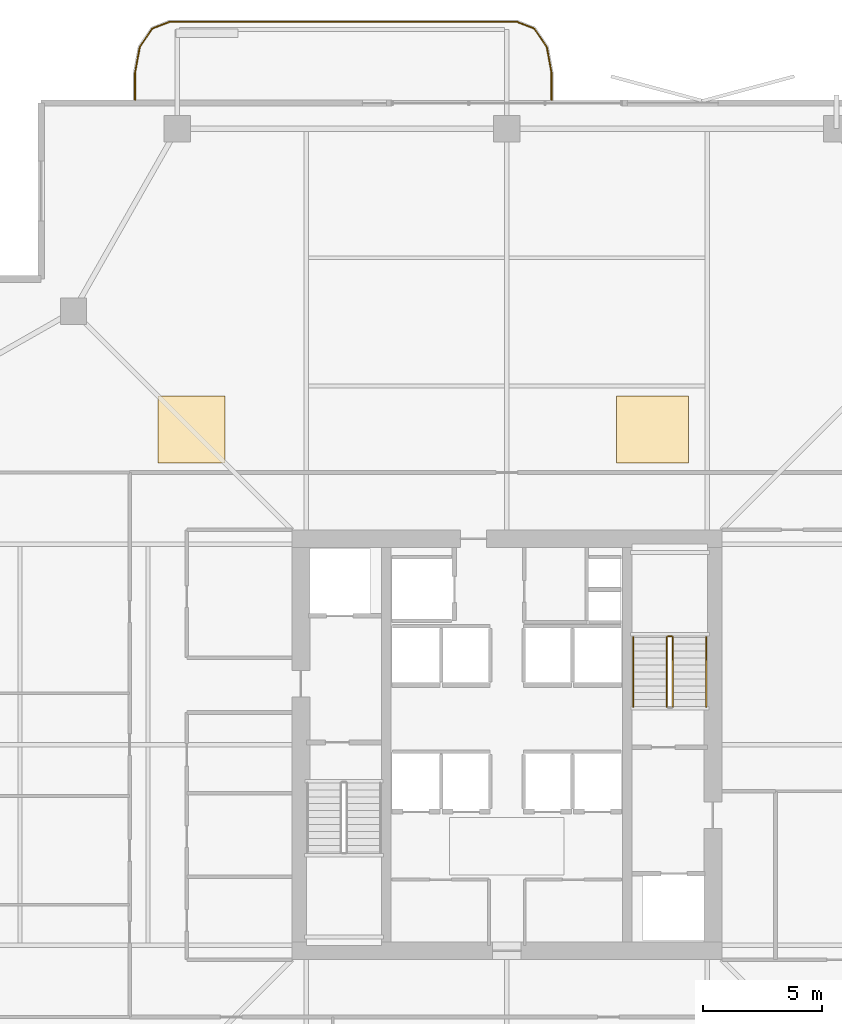
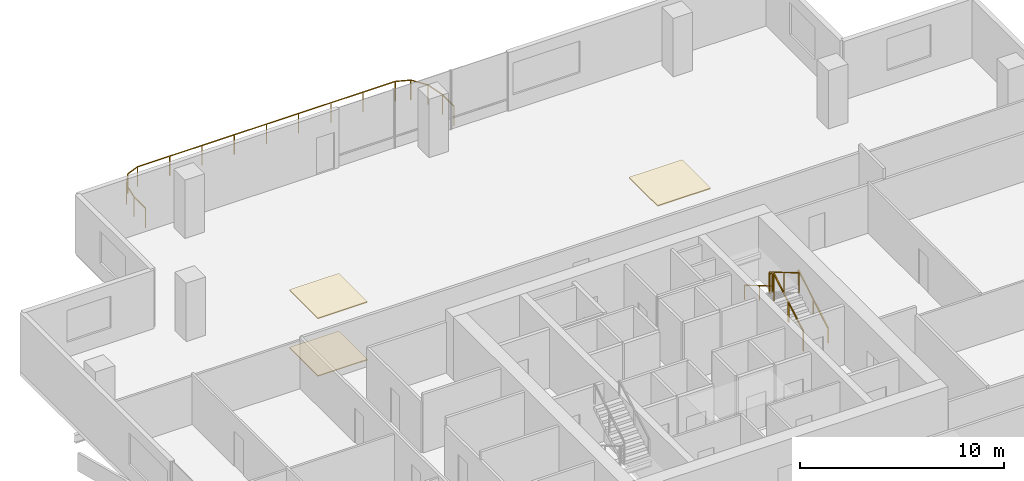
# One storey, part 23 of 24: 6 railings, 3 coverings.
"""IFC4 building model written with IfcOpenShell, lengths in metres."""

from ifc_helpers import new_model, si_unit, direction, frame, origin, origin_2d, place, context, subcontext, project, spatial, polyline, rectangle, outline, extrude, material, layer, layer_set, type_object, element, save


model = new_model("IFC4")

# Units and contexts
model_context = context("Model", 3, precision=1e-05, world=origin(), true_north=direction((0.0, 1.0)))
body_context = subcontext(model_context, "Body", "Model", "MODEL_VIEW")
ifc_project = project(units=[si_unit("LENGTHUNIT", "METRE"), si_unit("AREAUNIT", "SQUARE_METRE"), si_unit("VOLUMEUNIT", "CUBIC_METRE"), si_unit("PLANEANGLEUNIT", "RADIAN"), si_unit("MASSUNIT", "GRAM", prefix="KILO")], contexts=[model_context])

# Site, building, storey
site_placement = place(None, origin())
site = spatial("IfcSite", under=ifc_project, at=site_placement, CompositionType="ELEMENT")
building_placement = place(site_placement, origin())
building = spatial("IfcBuilding", under=site, at=building_placement, Name="Belovzor Exchange Tower", CompositionType="ELEMENT")
storey_placement = place(building_placement, frame((0.0, 0.0, 214.949951171875)))
storey = spatial("IfcBuildingStorey", under=building, at=storey_placement, Name="L53", CompositionType="ELEMENT", Elevation=214.949951171875)

# Railings
ifc_material_1 = material(Name="Stainless Steel Grade 304", Category="steel")
railing_type_1 = type_object("IfcRailingType", Name="Brushed Stainless Steel Stair Handrail 900", PredefinedType="HANDRAIL", material=ifc_material_1)
railing_1_placement = place(storey_placement, frame((37.14990234375, 30.39990234375, 0.17041015625)))
element("IfcRailing", 1, at=railing_1_placement, inside=storey, type_object=railing_type_1, Name="L53 ST-2 stair handrail 1", PredefinedType="HANDRAIL", context=body_context, shape_type="SweptSolid", body=[
    extrude(rectangle(XDim=0.048095703125, YDim=0.048095703125, at=origin_2d()), frame((0.0, 0.0, 0.8759765625), z_axis=(0.0, 0.862113265706, 0.506715617574), x_axis=(-1.0, 0.0, 0.0)), (0.0, 0.0, 1.0), 3.364013671875),
    extrude(rectangle(XDim=0.0419921875, YDim=0.0419921875, at=origin_2d()), origin(), (0.0, 0.0, 1.0), 0.851806640625),
    extrude(rectangle(XDim=0.0419921875, YDim=0.0419921875, at=origin_2d()), frame((0.0, 1.4501953125, 0.852294921875)), (0.0, 0.0, 1.0), 0.851806640625),
    extrude(rectangle(XDim=0.0419921875, YDim=0.0419921875, at=origin_2d()), frame((0.0, 2.900146484375, 1.70458984375)), (0.0, 0.0, 1.0), 0.851806640625),
])
railing_2_placement = place(storey_placement, frame((34.10009765625, 33.300048828125, 2.04541015625)))
element("IfcRailing", 2, at=railing_2_placement, inside=storey, type_object=railing_type_1, Name="L53 ST-2 stair handrail 2", PredefinedType="HANDRAIL", context=body_context, shape_type="SweptSolid", body=[
    extrude(rectangle(XDim=0.048095703125, YDim=0.048095703125, at=origin_2d()), frame((0.0, 0.0, 0.8759765625), z_axis=(0.0, -0.862113265706, 0.506715617574), x_axis=(1.0, 0.0, 0.0)), (0.0, 0.0, 1.0), 3.364013671875),
    extrude(rectangle(XDim=0.0419921875, YDim=0.0419921875, at=origin_2d()), origin(), (0.0, 0.0, 1.0), 0.851806640625),
    extrude(rectangle(XDim=0.0419921875, YDim=0.0419921875, at=origin_2d()), frame((0.0, -1.4501953125, 0.852294921875)), (0.0, 0.0, 1.0), 0.851806640625),
    extrude(rectangle(XDim=0.0419921875, YDim=0.0419921875, at=origin_2d()), frame((0.0, -2.900146484375, 1.70458984375)), (0.0, 0.0, 1.0), 0.851806640625),
])
ifc_material_2 = material(Name="Stainless Steel and Laminated Safety Glass", Category="steel")
railing_type_2 = type_object("IfcRailingType", Name="Laminated Glass & Stainless Steel Balcony Balustrade 1200", PredefinedType="BALUSTRADE", material=ifc_material_2)
railing_3_placement = place(storey_placement, frame((30.669921875, 55.81005859375, 0.0)))
element("IfcRailing", 3, at=railing_3_placement, inside=storey, type_object=railing_type_2, Name="GR-1 Balcony Balustrade L53 North", PredefinedType="BALUSTRADE", context=body_context, shape_type="SweptSolid", body=[
    extrude(rectangle(XDim=0.048095703125, YDim=0.048095703125, at=origin_2d()), frame((0.0, 0.0, 1.17578125), z_axis=(0.0, 1.0, 0.0), x_axis=(-1.0, 0.0, 0.0)), (0.0, 0.0, 1.0), 1.133056640625),
    extrude(rectangle(XDim=0.048095703125, YDim=0.048095703125, at=origin_2d()), frame((0.0, 1.133056640625, 1.17578125), z_axis=(-0.180122719713, 0.983644145941, 0.0), x_axis=(-0.983644145941, -0.180122719713, 0.0)), (0.0, 0.0, 1.0), 1.09375),
    extrude(rectangle(XDim=0.048095703125, YDim=0.048095703125, at=origin_2d()), frame((-0.197021484375, 2.208984375, 1.17578125), z_axis=(-0.562768145367, 0.826614792125, 0.0), x_axis=(-0.826614792125, -0.562768145367, 0.0)), (0.0, 0.0, 1.0), 0.9326171875),
    extrude(rectangle(XDim=0.048095703125, YDim=0.048095703125, at=origin_2d()), frame((-0.721923828125, 2.97998046875, 1.17578125), z_axis=(-0.930766990125, 0.365612923861, 0.0), x_axis=(-0.365612923861, -0.930766990125, 0.0)), (0.0, 0.0, 1.0), 0.765869140625),
    extrude(rectangle(XDim=0.048095703125, YDim=0.048095703125, at=origin_2d()), frame((-1.434814453125, 3.260009765625, 1.17578125), z_axis=(-1.0, 0.0, 0.0), x_axis=(0.0, -1.0, 0.0)), (0.0, 0.0, 1.0), 14.570068359375),
    extrude(rectangle(XDim=0.048095703125, YDim=0.048095703125, at=origin_2d()), frame((-16.0048828125, 3.260009765625, 1.17578125), z_axis=(-0.930809580156, -0.365504480807, 0.0), x_axis=(0.365504480807, -0.930809580156, 0.0)), (0.0, 0.0, 1.0), 0.76611328125),
    extrude(rectangle(XDim=0.048095703125, YDim=0.048095703125, at=origin_2d()), frame((-16.718017578125, 2.97998046875, 1.17578125), z_axis=(-0.562768145367, -0.826614792125, 0.0), x_axis=(0.826614792125, -0.562768145367, 0.0)), (0.0, 0.0, 1.0), 0.9326171875),
    extrude(rectangle(XDim=0.048095703125, YDim=0.048095703125, at=origin_2d()), frame((-17.242919921875, 2.208984375, 1.17578125), z_axis=(-0.180122719713, -0.983644145941, 0.0), x_axis=(0.983644145941, -0.180122719713, 0.0)), (0.0, 0.0, 1.0), 1.09375),
    extrude(rectangle(XDim=0.048095703125, YDim=0.048095703125, at=origin_2d()), frame((-17.43994140625, 1.133056640625, 1.17578125), z_axis=(0.0, -1.0, 0.0), x_axis=(1.0, 0.0, 0.0)), (0.0, 0.0, 1.0), 1.133056640625),
    extrude(rectangle(XDim=0.0419921875, YDim=0.0419921875, at=origin_2d()), origin(), (0.0, 0.0, 1.0), 1.15185546875),
    extrude(rectangle(XDim=0.0419921875, YDim=0.0419921875, at=origin_2d()), frame((0.0, 1.133056640625, 0.0)), (0.0, 0.0, 1.0), 1.15185546875),
    extrude(rectangle(XDim=0.0419921875, YDim=0.0419921875, at=origin_2d()), frame((-0.197021484375, 2.208984375, 0.0)), (0.0, 0.0, 1.0), 1.15185546875),
    extrude(rectangle(XDim=0.0419921875, YDim=0.0419921875, at=origin_2d()), frame((-0.721923828125, 2.97998046875, 0.0)), (0.0, 0.0, 1.0), 1.15185546875),
    extrude(rectangle(XDim=0.0419921875, YDim=0.0419921875, at=origin_2d()), frame((-1.434814453125, 3.260009765625, 0.0)), (0.0, 0.0, 1.0), 1.15185546875),
    extrude(rectangle(XDim=0.0419921875, YDim=0.0419921875, at=origin_2d()), frame((-3.256103515625, 3.260009765625, 0.0)), (0.0, 0.0, 1.0), 1.15185546875),
    extrude(rectangle(XDim=0.0419921875, YDim=0.0419921875, at=origin_2d()), frame((-5.077392578125, 3.260009765625, 0.0)), (0.0, 0.0, 1.0), 1.15185546875),
    extrude(rectangle(XDim=0.0419921875, YDim=0.0419921875, at=origin_2d()), frame((-6.898681640625, 3.260009765625, 0.0)), (0.0, 0.0, 1.0), 1.15185546875),
    extrude(rectangle(XDim=0.0419921875, YDim=0.0419921875, at=origin_2d()), frame((-8.7197265625, 3.260009765625, 0.0)), (0.0, 0.0, 1.0), 1.15185546875),
    extrude(rectangle(XDim=0.0419921875, YDim=0.0419921875, at=origin_2d()), frame((-10.541015625, 3.260009765625, 0.0)), (0.0, 0.0, 1.0), 1.15185546875),
    extrude(rectangle(XDim=0.0419921875, YDim=0.0419921875, at=origin_2d()), frame((-12.3623046875, 3.260009765625, 0.0)), (0.0, 0.0, 1.0), 1.15185546875),
    extrude(rectangle(XDim=0.0419921875, YDim=0.0419921875, at=origin_2d()), frame((-14.18359375, 3.260009765625, 0.0)), (0.0, 0.0, 1.0), 1.15185546875),
    extrude(rectangle(XDim=0.0419921875, YDim=0.0419921875, at=origin_2d()), frame((-16.0048828125, 3.260009765625, 0.0)), (0.0, 0.0, 1.0), 1.15185546875),
    extrude(rectangle(XDim=0.0419921875, YDim=0.0419921875, at=origin_2d()), frame((-16.718017578125, 2.97998046875, 0.0)), (0.0, 0.0, 1.0), 1.15185546875),
    extrude(rectangle(XDim=0.0419921875, YDim=0.0419921875, at=origin_2d()), frame((-17.242919921875, 2.208984375, 0.0)), (0.0, 0.0, 1.0), 1.15185546875),
    extrude(rectangle(XDim=0.0419921875, YDim=0.0419921875, at=origin_2d()), frame((-17.43994140625, 1.133056640625, 0.0)), (0.0, 0.0, 1.0), 1.15185546875),
    extrude(rectangle(XDim=0.0419921875, YDim=0.0419921875, at=origin_2d()), frame((-17.43994140625, 0.0, 0.0)), (0.0, 0.0, 1.0), 1.15185546875),
])
ifc_material_3 = material(Name="Steel S355", Category="steel")
railing_type_3 = type_object("IfcRailingType", Name="Painted Steel Stairwell Guardrail 1200", PredefinedType="GUARDRAIL", material=ifc_material_3)
railing_4_placement = place(storey_placement, frame((35.75, 30.39990234375, 0.17041015625)))
element("IfcRailing", 4, at=railing_4_placement, inside=storey, type_object=railing_type_3, Name="L53 ST-2 stair guard 1", PredefinedType="GUARDRAIL", context=body_context, shape_type="SweptSolid", body=[
    extrude(rectangle(XDim=0.048095703125, YDim=0.048095703125, at=origin_2d()), frame((0.0, 0.0, 1.17578125), z_axis=(0.0, 0.862113265706, 0.506715617574), x_axis=(-1.0, 0.0, 0.0)), (0.0, 0.0, 1.0), 3.364013671875),
    extrude(rectangle(XDim=0.0419921875, YDim=0.0419921875, at=origin_2d()), origin(), (0.0, 0.0, 1.0), 1.15185546875),
    extrude(rectangle(XDim=0.0419921875, YDim=0.0419921875, at=origin_2d()), frame((0.0, 1.4501953125, 0.852294921875)), (0.0, 0.0, 1.0), 1.15185546875),
    extrude(rectangle(XDim=0.0419921875, YDim=0.0419921875, at=origin_2d()), frame((0.0, 2.900146484375, 1.70458984375)), (0.0, 0.0, 1.0), 1.15185546875),
])
railing_5_placement = place(storey_placement, frame((35.699951171875, 33.35009765625, 1.875)))
element("IfcRailing", 5, at=railing_5_placement, inside=storey, type_object=railing_type_3, Name="L53 ST-2 stair guard 2", PredefinedType="GUARDRAIL", context=body_context, shape_type="SweptSolid", body=[
    extrude(rectangle(XDim=0.048095703125, YDim=0.048095703125, at=origin_2d()), frame((0.0, 0.0, 1.17578125), z_axis=(-1.0, 0.0, 0.0), x_axis=(0.0, -1.0, 0.0)), (0.0, 0.0, 1.0), 0.14990234375),
    extrude(rectangle(XDim=0.0419921875, YDim=0.0419921875, at=origin_2d()), origin(), (0.0, 0.0, 1.0), 1.15185546875),
    extrude(rectangle(XDim=0.0419921875, YDim=0.0419921875, at=origin_2d()), frame((-0.14990234375, 0.0, 0.0)), (0.0, 0.0, 1.0), 1.15185546875),
])
railing_6_placement = place(storey_placement, frame((35.5, 33.300048828125, 2.04541015625)))
element("IfcRailing", 6, at=railing_6_placement, inside=storey, type_object=railing_type_3, Name="L53 ST-2 stair guard 3", PredefinedType="GUARDRAIL", context=body_context, shape_type="SweptSolid", body=[
    extrude(rectangle(XDim=0.048095703125, YDim=0.048095703125, at=origin_2d()), frame((0.0, 0.0, 1.17578125), z_axis=(0.0, -0.862113265706, 0.506715617574), x_axis=(1.0, 0.0, 0.0)), (0.0, 0.0, 1.0), 3.364013671875),
    extrude(rectangle(XDim=0.0419921875, YDim=0.0419921875, at=origin_2d()), origin(), (0.0, 0.0, 1.0), 1.15185546875),
    extrude(rectangle(XDim=0.0419921875, YDim=0.0419921875, at=origin_2d()), frame((0.0, -1.4501953125, 0.852294921875)), (0.0, 0.0, 1.0), 1.15185546875),
    extrude(rectangle(XDim=0.0419921875, YDim=0.0419921875, at=origin_2d()), frame((0.0, -2.900146484375, 1.70458984375)), (0.0, 0.0, 1.0), 1.15185546875),
])

# Coverings
ifc_material_4 = material(Name="Perforated Powder-Coated Aluminium", Category="aluminium")
ifc_layer_1 = layer(ifc_material_4, 0.06005859375)
ifc_layer_set_1 = layer_set([ifc_layer_1], Name="Perforated Powder-Coated Aluminium")
covering_type_1 = type_object("IfcCoveringType", Name="Perforated Acoustic Metal Tile Suspended Ceiling 60", PredefinedType="CEILING", material=ifc_layer_set_1)
covering_1_placement = place(storey_placement, frame((0.0, 0.0, 3.43994140625)))
element("IfcCovering", 7, at=covering_1_placement, inside=storey, type_object=covering_type_1, Name="CLG-AC60 Suspended Ceiling CLG-L53-Z2", PredefinedType="CEILING", context=body_context, shape_type="SweptSolid", body=[
    extrude(outline(polyline([(33.39990234375, 40.60009765625), (36.39990234375, 40.60009765625), (36.39990234375, 43.39990234375), (33.39990234375, 43.39990234375), (33.39990234375, 40.60009765625)])), origin(), (0.0, 0.0, 1.0), 0.06005859375),
])
covering_2_placement = place(storey_placement, frame((0.0, 0.0, 3.43994140625)))
element("IfcCovering", 8, at=covering_2_placement, inside=storey, type_object=covering_type_1, Name="CLG-AC60 Suspended Ceiling CLG-L53-Z3", PredefinedType="CEILING", context=body_context, shape_type="SweptSolid", body=[
    extrude(outline(polyline([(14.199951171875, 40.60009765625), (17.0, 40.60009765625), (17.0, 43.39990234375), (14.199951171875, 43.39990234375), (14.199951171875, 40.60009765625)])), origin(), (0.0, 0.0, 1.0), 0.06005859375),
])
ifc_material_5 = material(Name="Polished Natural Granite Tile", Category="masonry")
ifc_layer_2 = layer(ifc_material_5, 0.050048828125)
ifc_layer_set_2 = layer_set([ifc_layer_2], Name="Polished Natural Granite Tile")
covering_type_2 = type_object("IfcCoveringType", Name="Polished Karelian Granite & Raised Access Floor Finish 50", PredefinedType="FLOORING", material=ifc_layer_set_2)
covering_3_placement = place(storey_placement, origin())
element("IfcCovering", 9, at=covering_3_placement, inside=storey, type_object=covering_type_2, Name="FLR-GR50 Floor Finish FLR-L53-Z3", PredefinedType="FLOORING", context=body_context, shape_type="SweptSolid", body=[
    extrude(outline(polyline([(14.199951171875, 40.60009765625), (17.0, 40.60009765625), (17.0, 43.39990234375), (14.199951171875, 43.39990234375), (14.199951171875, 40.60009765625)])), origin(), (0.0, 0.0, 1.0), 0.050048828125),
])

save(model, "model.ifc")
